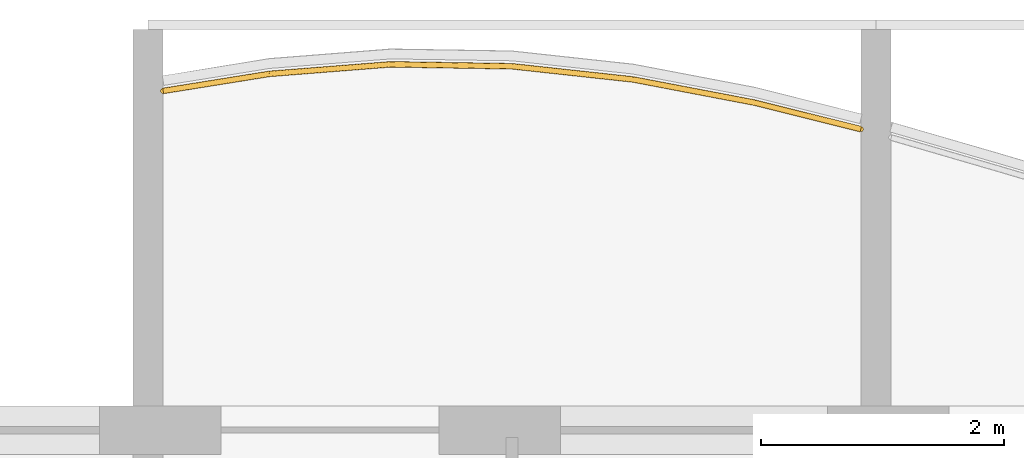
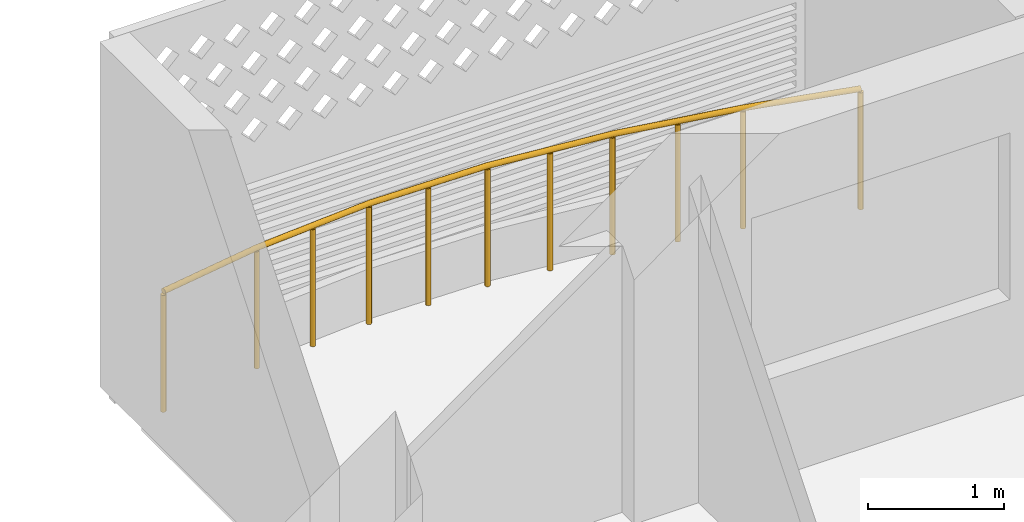
# One storey, part 21 of 28: 1 railing.
"""IFC4 building model written with IfcOpenShell, lengths in metres."""

from ifc_helpers import new_model, si_unit, direction, frame, origin, origin_2d, place, context, subcontext, project, spatial, circle, extrude, material, type_object, element, save


model = new_model("IFC4")

# Units and contexts
model_context = context("Model", 3, precision=1e-05, world=origin(), true_north=direction((0.0, 1.0)))
body_context = subcontext(model_context, "Body", "Model", "MODEL_VIEW")
ifc_project = project(units=[si_unit("LENGTHUNIT", "METRE"), si_unit("AREAUNIT", "SQUARE_METRE"), si_unit("VOLUMEUNIT", "CUBIC_METRE"), si_unit("PLANEANGLEUNIT", "RADIAN"), si_unit("MASSUNIT", "GRAM", prefix="KILO")], contexts=[model_context])

# Site, building, storey
site_placement = place(None, origin())
site = spatial("IfcSite", under=ifc_project, at=site_placement, CompositionType="ELEMENT")
building_placement = place(site_placement, origin())
building = spatial("IfcBuilding", under=site, at=building_placement, Name="Poui Terraces", CompositionType="ELEMENT")
storey_placement = place(building_placement, frame((0.0, 0.0, 188.39990234375)))
storey = spatial("IfcBuildingStorey", under=building, at=storey_placement, Name="L52", CompositionType="ELEMENT", Elevation=188.39990234375)

# Railing
ifc_material = material(Name="Painted steel fretwork", Category="steel")
railing_type = type_object("IfcRailingType", Name="BALCONY GUARD 1100", PredefinedType="GUARDRAIL", material=ifc_material)
railing_placement = place(storey_placement, frame((54.125, 43.99560546875, 0.0)))
element("IfcRailing", 1, at=railing_placement, inside=storey, type_object=railing_type, Name="BALCONY GUARD", PredefinedType="GUARDRAIL", context=body_context, shape_type="SweptSolid", body=[
    extrude(circle(Radius=0.02392578125, at=origin_2d()), frame((0.0, 0.0, 1.076171875), z_axis=(0.987373495895, 0.158409531289, 0.0), x_axis=(-0.158409531289, 0.987373495895, 0.0)), (0.0, 0.0, 1.0), 0.88623046875),
    extrude(circle(Radius=0.02392578125, at=origin_2d()), frame((0.875, 0.140380859375, 1.076171875), z_axis=(0.996924225014, 0.078371484486, 0.0), x_axis=(-0.078371484486, 0.996924225014, 0.0)), (0.0, 0.0, 1.0), 1.003173828125),
    extrude(circle(Radius=0.02392578125, at=origin_2d()), frame((1.875, 0.218994140625, 1.076171875), z_axis=(0.999874108965, -0.015867142842, 0.0), x_axis=(0.015867142842, 0.999874108965, 0.0)), (0.0, 0.0, 1.0), 1.000244140625),
    extrude(circle(Radius=0.02392578125, at=origin_2d()), frame((2.875, 0.203125, 1.076171875), z_axis=(0.994124040351, -0.108246904784, 0.0), x_axis=(0.108246904784, 0.994124040351, 0.0)), (0.0, 0.0, 1.0), 1.005859375),
    extrude(circle(Radius=0.02392578125, at=origin_2d()), frame((3.875, 0.09423828125, 1.076171875), z_axis=(0.982258715668, -0.187530838782, 0.0), x_axis=(0.187530838782, 0.982258715668, 0.0)), (0.0, 0.0, 1.0), 1.01806640625),
    extrude(circle(Radius=0.02392578125, at=origin_2d()), frame((4.875, -0.0966796875, 1.076171875), z_axis=(0.970206161947, -0.242280835643, 0.0), x_axis=(0.242280835643, 0.970206161947, 0.0)), (0.0, 0.0, 1.0), 0.90185546875),
    extrude(circle(Radius=0.02099609375, at=origin_2d()), origin(), (0.0, 0.0, 1.0), 1.052001953125),
    extrude(circle(Radius=0.02099609375, at=origin_2d()), frame((0.875, 0.140380859375, 0.0)), (0.0, 0.0, 1.0), 1.052001953125),
    extrude(circle(Radius=0.02099609375, at=origin_2d()), frame((1.375, 0.1796875, 0.0)), (0.0, 0.0, 1.0), 1.052001953125),
    extrude(circle(Radius=0.02099609375, at=origin_2d()), frame((1.875, 0.218994140625, 0.0)), (0.0, 0.0, 1.0), 1.052001953125),
    extrude(circle(Radius=0.02099609375, at=origin_2d()), frame((2.375, 0.2109375, 0.0)), (0.0, 0.0, 1.0), 1.052001953125),
    extrude(circle(Radius=0.02099609375, at=origin_2d()), frame((2.875, 0.203125, 0.0)), (0.0, 0.0, 1.0), 1.052001953125),
    extrude(circle(Radius=0.02099609375, at=origin_2d()), frame((3.375, 0.148681640625, 0.0)), (0.0, 0.0, 1.0), 1.052001953125),
    extrude(circle(Radius=0.02099609375, at=origin_2d()), frame((3.875, 0.09423828125, 0.0)), (0.0, 0.0, 1.0), 1.052001953125),
    extrude(circle(Radius=0.02099609375, at=origin_2d()), frame((4.375, -0.001220703125, 0.0)), (0.0, 0.0, 1.0), 1.052001953125),
    extrude(circle(Radius=0.02099609375, at=origin_2d()), frame((4.875, -0.0966796875, 0.0)), (0.0, 0.0, 1.0), 1.052001953125),
    extrude(circle(Radius=0.02099609375, at=origin_2d()), frame((5.75, -0.315185546875, 0.0)), (0.0, 0.0, 1.0), 1.052001953125),
])

save(model, "model.ifc")
